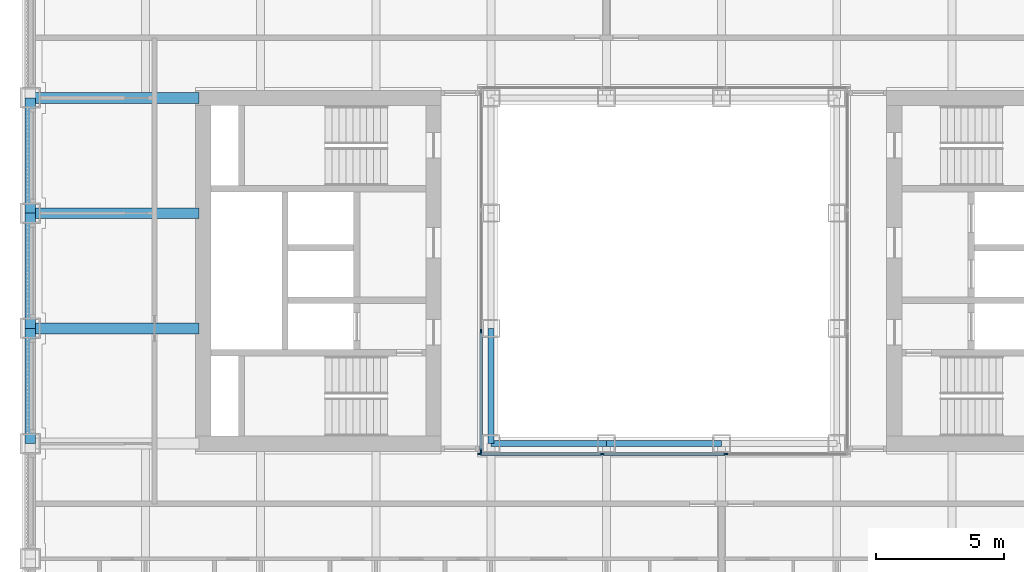
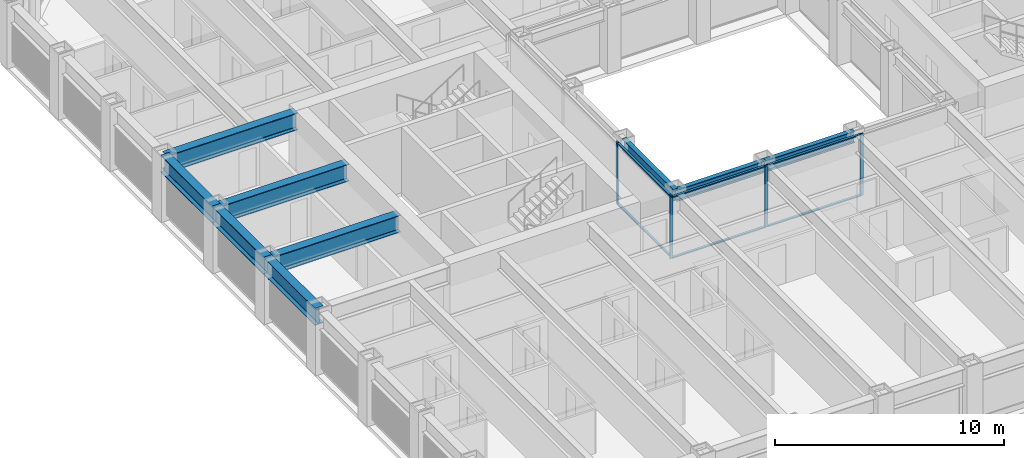
# One storey, part 3 of 21: 11 members, 9 beams, 2 elements without a shape of their own.
"""IFC4 building model written with IfcOpenShell, lengths in metres."""

from ifc_helpers import new_model, si_unit, direction, frame, origin, origin_2d, place, context, subcontext, project, spatial, rectangle, i_section, extrude, material, material_profile, profile_set, type_object, element, aggregate, save


model = new_model("IFC4")

# Units and contexts
model_context = context("Model", 3, precision=1e-05, world=origin(), true_north=direction((0.0, 1.0)))
body_context = subcontext(model_context, "Body", "Model", "MODEL_VIEW")
ifc_project = project(units=[si_unit("LENGTHUNIT", "METRE"), si_unit("AREAUNIT", "SQUARE_METRE"), si_unit("VOLUMEUNIT", "CUBIC_METRE"), si_unit("PLANEANGLEUNIT", "RADIAN"), si_unit("MASSUNIT", "GRAM", prefix="KILO")], contexts=[model_context])

# Site, building, storey
site_placement = place(None, origin())
site = spatial("IfcSite", under=ifc_project, at=site_placement, CompositionType="ELEMENT")
building_placement = place(site_placement, origin())
building = spatial("IfcBuilding", under=site, at=building_placement, Name="Msasa Ring Tower", CompositionType="ELEMENT")
storey_placement = place(building_placement, frame((0.0, 0.0, 79.0)))
storey = spatial("IfcBuildingStorey", under=building, at=storey_placement, Name="L20", CompositionType="ELEMENT", Elevation=79.0)

# Curtain wall, members
ifc_material_1 = material(Name="Aluminium curtain wall with clear glass", Category="aluminium")
curtain_wall_type = type_object("IfcCurtainWallType", Name="CW-W LIGHT WELL CURTAIN WALL", PredefinedType="NOTDEFINED", material=ifc_material_1)
curtain_wall_1_placement = place(storey_placement, origin())
curtain_wall_1 = element("IfcCurtainWall", 1, at=curtain_wall_1_placement, inside=storey, type_object=curtain_wall_type, Name="Light well curtain wall S L20", PredefinedType="NOTDEFINED")
ifc_material_2 = material(Name="Aluminium mullion", Category="aluminium")
ifc_material_profile_1 = material_profile(ifc_material_2, rectangle(XDim=0.06005859375, YDim=0.159912109375, at=origin_2d()), Name="AL 60x160")
ifc_profile_set_1 = profile_set([ifc_material_profile_1], Name="Aluminium mullion")
member_type_1 = type_object("IfcMemberType", Name="CW-W MULLION 60x160", PredefinedType="MULLION", material=ifc_profile_set_1)
member_1_placement = place(storey_placement, frame((-7.199951171875, -7.14990234375, 0.0), z_axis=(0.0, 0.0, 1.0), x_axis=(0.0, 1.0, 0.0)))
member_1 = element("IfcMember", 2, at=member_1_placement, type_object=member_type_1, Name="CW-W mullion 1", PredefinedType="MULLION", context=body_context, shape_type="SweptSolid", body=[
    extrude(rectangle(XDim=0.06005859375, YDim=0.159912109375, at=origin_2d()), origin(), (0.0, 0.0, 1.0), 3.300048828125),
])
member_2_placement = place(storey_placement, frame((-2.409912109375, -7.14990234375, 0.0), z_axis=(0.0, 0.0, 1.0), x_axis=(0.0, 1.0, 0.0)))
member_2 = element("IfcMember", 3, at=member_2_placement, type_object=member_type_1, Name="CW-W mullion 2", PredefinedType="MULLION", context=body_context, shape_type="SweptSolid", body=[
    extrude(rectangle(XDim=0.06005859375, YDim=0.159912109375, at=origin_2d()), origin(), (0.0, 0.0, 1.0), 3.300048828125),
])
member_3_placement = place(storey_placement, frame((2.409912109375, -7.14990234375, 0.0), z_axis=(0.0, 0.0, 1.0), x_axis=(0.0, 1.0, 0.0)))
member_3 = element("IfcMember", 4, at=member_3_placement, type_object=member_type_1, Name="CW-W mullion 3", PredefinedType="MULLION", context=body_context, shape_type="SweptSolid", body=[
    extrude(rectangle(XDim=0.06005859375, YDim=0.159912109375, at=origin_2d()), origin(), (0.0, 0.0, 1.0), 3.300048828125),
])

curtain_wall_2_placement = place(storey_placement, origin())
curtain_wall_2 = element("IfcCurtainWall", 5, at=curtain_wall_2_placement, inside=storey, type_object=curtain_wall_type, Name="Light well curtain wall W L20", PredefinedType="NOTDEFINED")
member_4_placement = place(storey_placement, frame((-7.14990234375, -7.0400390625, 0.0), z_axis=(0.0, 0.0, 1.0), x_axis=(-1.0, 0.0, 0.0)))
member_4 = element("IfcMember", 6, at=member_4_placement, type_object=member_type_1, Name="CW-W mullion 1", PredefinedType="MULLION", context=body_context, shape_type="SweptSolid", body=[
    extrude(rectangle(XDim=0.06005859375, YDim=0.159912109375, at=origin_2d()), origin(), (0.0, 0.0, 1.0), 3.300048828125),
])
member_5_placement = place(storey_placement, frame((-7.14990234375, -2.356689453125, 0.0), z_axis=(0.0, 0.0, 1.0), x_axis=(-1.0, 0.0, 0.0)))
member_5 = element("IfcMember", 7, at=member_5_placement, type_object=member_type_1, Name="CW-W mullion 2", PredefinedType="MULLION", context=body_context, shape_type="SweptSolid", body=[
    extrude(rectangle(XDim=0.06005859375, YDim=0.159912109375, at=origin_2d()), origin(), (0.0, 0.0, 1.0), 3.300048828125),
])

# Member
ifc_material_3 = material(Name="Aluminium transom", Category="aluminium")
ifc_material_profile_2 = material_profile(ifc_material_3, rectangle(XDim=0.1201171875, YDim=0.06005859375, at=origin_2d()), Name="AL 60x120")
ifc_profile_set_2 = profile_set([ifc_material_profile_2], Name="Aluminium transom")
member_type_2 = type_object("IfcMemberType", Name="CW-W TRANSOM 60x120", PredefinedType="USERDEFINED", material=ifc_profile_set_2)
member_6_placement = place(storey_placement, frame((-7.169921875, -7.14990234375, 0.030029296875), z_axis=(1.0, 0.0, 0.0), x_axis=(0.0, 1.0, 0.0)))
member_6 = element("IfcMember", 8, at=member_6_placement, type_object=member_type_2, Name="CW-W transom 1.1", ObjectType="TRANSOM", PredefinedType="USERDEFINED", context=body_context, shape_type="SweptSolid", body=[
    extrude(rectangle(XDim=0.1201171875, YDim=0.06005859375, at=origin_2d()), origin(), (0.0, 0.0, 1.0), 4.72998046875),
])

member_7_placement = place(storey_placement, frame((-7.169921875, -7.14990234375, 3.27001953125), z_axis=(1.0, 0.0, 0.0), x_axis=(0.0, 1.0, 0.0)))
member_7 = element("IfcMember", 9, at=member_7_placement, type_object=member_type_2, Name="CW-W transom 1.2", ObjectType="TRANSOM", PredefinedType="USERDEFINED", context=body_context, shape_type="SweptSolid", body=[
    extrude(rectangle(XDim=0.1201171875, YDim=0.06005859375, at=origin_2d()), origin(), (0.0, 0.0, 1.0), 4.72998046875),
])

member_8_placement = place(storey_placement, frame((-2.3798828125, -7.14990234375, 0.030029296875), z_axis=(1.0, 0.0, 0.0), x_axis=(0.0, 1.0, 0.0)))
member_8 = element("IfcMember", 10, at=member_8_placement, type_object=member_type_2, Name="CW-W transom 2.1", ObjectType="TRANSOM", PredefinedType="USERDEFINED", context=body_context, shape_type="SweptSolid", body=[
    extrude(rectangle(XDim=0.1201171875, YDim=0.06005859375, at=origin_2d()), origin(), (0.0, 0.0, 1.0), 4.759765625),
])

member_9_placement = place(storey_placement, frame((-2.3798828125, -7.14990234375, 3.27001953125), z_axis=(1.0, 0.0, 0.0), x_axis=(0.0, 1.0, 0.0)))
member_9 = element("IfcMember", 11, at=member_9_placement, type_object=member_type_2, Name="CW-W transom 2.2", ObjectType="TRANSOM", PredefinedType="USERDEFINED", context=body_context, shape_type="SweptSolid", body=[
    extrude(rectangle(XDim=0.1201171875, YDim=0.06005859375, at=origin_2d()), origin(), (0.0, 0.0, 1.0), 4.759765625),
])

aggregate(curtain_wall_1, [member_1, member_2, member_3, member_6, member_7, member_8, member_9])

member_10_placement = place(storey_placement, frame((-7.14990234375, -7.010009765625, 0.030029296875), z_axis=(0.0, 1.0, 0.0), x_axis=(-1.0, 0.0, 0.0)))
member_10 = element("IfcMember", 12, at=member_10_placement, type_object=member_type_2, Name="CW-W transom 1.1", ObjectType="TRANSOM", PredefinedType="USERDEFINED", context=body_context, shape_type="SweptSolid", body=[
    extrude(rectangle(XDim=0.1201171875, YDim=0.06005859375, at=origin_2d()), origin(), (0.0, 0.0, 1.0), 4.623291015625),
])

member_11_placement = place(storey_placement, frame((-7.14990234375, -7.010009765625, 3.27001953125), z_axis=(0.0, 1.0, 0.0), x_axis=(-1.0, 0.0, 0.0)))
member_11 = element("IfcMember", 13, at=member_11_placement, type_object=member_type_2, Name="CW-W transom 1.2", ObjectType="TRANSOM", PredefinedType="USERDEFINED", context=body_context, shape_type="SweptSolid", body=[
    extrude(rectangle(XDim=0.1201171875, YDim=0.06005859375, at=origin_2d()), origin(), (0.0, 0.0, 1.0), 4.623291015625),
])

aggregate(curtain_wall_2, [member_4, member_5, member_10, member_11])

# Beams
ifc_material_4 = material(Name="Steel S355", Category="steel")
ifc_material_profile_3 = material_profile(ifc_material_4, i_section(OverallWidth=0.42041015625, OverallDepth=0.9208984375, WebThickness=0.021484375, FlangeThickness=0.03662109375, FilletRadius=0.024169921875, at=origin_2d()), Name="UB 914x419x388")
ifc_profile_set_3 = profile_set([ifc_material_profile_3], Name="Steel S355")
beam_type_1 = type_object("IfcBeamType", Name="FB2 UB 914x419x388", PredefinedType="BEAM", material=ifc_profile_set_3)
for number, where, z_axis, x_axis, name in (
    (14, (-24.75, -2.25, 2.839599609375), (1.0, 0.0, 0.0), (0.0, 1.0, 0.0), "Floor beam W -2.25 under L21"),
    (15, (-24.75, 2.25, 2.839599609375), (1.0, 0.0, 0.0), (0.0, 1.0, 0.0), "Floor beam W +2.25 under L21"),
):
    element("IfcBeam", number, at=place(storey_placement, frame(where, z_axis=z_axis, x_axis=x_axis)), inside=storey, type_object=beam_type_1, Name=name, PredefinedType="BEAM", context=body_context, shape_type="SweptSolid", body=[
        extrude(i_section(OverallWidth=0.42041015625, OverallDepth=0.9208984375, WebThickness=0.021484375, FlangeThickness=0.03662109375, FilletRadius=0.024169921875, at=origin_2d()), origin(), (0.0, 0.0, 1.0), 6.60009765625),
    ])
ifc_material_5 = material(Name="Steel S355", Category="steel")
ifc_material_profile_4 = material_profile(ifc_material_5, i_section(OverallWidth=0.42041015625, OverallDepth=0.9208984375, WebThickness=0.021484375, FlangeThickness=0.03662109375, FilletRadius=0.024169921875, at=origin_2d()), Name="UB 914x419x388")
ifc_profile_set_4 = profile_set([ifc_material_profile_4], Name="Steel S355")
beam_type_2 = type_object("IfcBeamType", Name="GB1 UB 914x419x388", PredefinedType="BEAM", material=ifc_profile_set_4)
beam_placement = place(storey_placement, frame((-18.14990234375, 6.75, 2.839599609375), z_axis=(-1.0, 0.0, 0.0), x_axis=(0.0, -1.0, 0.0)))
element("IfcBeam", 16, at=beam_placement, inside=storey, type_object=beam_type_2, Name="Girder W +6.75 under L21", PredefinedType="BEAM", context=body_context, shape_type="SweptSolid", body=[
    extrude(i_section(OverallWidth=0.42041015625, OverallDepth=0.9208984375, WebThickness=0.021484375, FlangeThickness=0.03662109375, FilletRadius=0.024169921875, at=origin_2d()), origin(), (0.0, 0.0, 1.0), 6.60009765625),
])
ifc_material_6 = material(Name="Steel S355", Category="steel")
ifc_material_profile_5 = material_profile(ifc_material_6, i_section(OverallWidth=0.230224609375, OverallDepth=0.6171875, WebThickness=0.01318359375, FlangeThickness=0.022216796875, FilletRadius=0.0126953125, at=origin_2d()), Name="UB 610x229x140")
ifc_profile_set_5 = profile_set([ifc_material_profile_5], Name="Steel S355")
beam_type_3 = type_object("IfcBeamType", Name="RB1 UB 610x229x140", PredefinedType="BEAM", material=ifc_profile_set_5)
for number, where, z_axis, x_axis, name in (
    (17, (-6.75, -2.25, 2.991455078125), (0.0, -1.0, 0.0), (1.0, 0.0, 0.0), "Inner ring beam IR-6.75-2.25 under L21"),
    (18, (-6.75, -6.75, 2.991455078125), (1.0, 0.0, 0.0), (0.0, 1.0, 0.0), "Inner ring beam IR-6.75-6.75 under L21"),
    (19, (-2.25, -6.75, 2.991455078125), (1.0, 0.0, 0.0), (0.0, 1.0, 0.0), "Inner ring beam IR-2.25-6.75 under L21"),
):
    element("IfcBeam", number, at=place(storey_placement, frame(where, z_axis=z_axis, x_axis=x_axis)), inside=storey, type_object=beam_type_3, Name=name, PredefinedType="BEAM", context=body_context, shape_type="SweptSolid", body=[
        extrude(i_section(OverallWidth=0.230224609375, OverallDepth=0.6171875, WebThickness=0.01318359375, FlangeThickness=0.022216796875, FilletRadius=0.0126953125, at=origin_2d()), origin(), (0.0, 0.0, 1.0), 4.5),
    ])
ifc_material_7 = material(Name="Steel S355", Category="steel")
ifc_material_profile_6 = material_profile(ifc_material_7, i_section(OverallWidth=0.42041015625, OverallDepth=0.9208984375, WebThickness=0.021484375, FlangeThickness=0.03662109375, FilletRadius=0.024169921875, at=origin_2d()), Name="UB 914x419x388")
ifc_profile_set_6 = profile_set([ifc_material_profile_6], Name="Steel S355")
beam_type_4 = type_object("IfcBeamType", Name="SB1 UB 914x419x388", PredefinedType="SPANDREL", material=ifc_profile_set_6)
for number, where, z_axis, x_axis, name in (
    (20, (-24.75, -2.25, 2.839599609375), (0.0, -1.0, 0.0), (1.0, 0.0, 0.0), "Spandrel W-2.25 to W-6.75 under L21"),
    (21, (-24.75, 6.75, 2.839599609375), (0.0, -1.0, 0.0), (1.0, 0.0, 0.0), "Spandrel W+6.75 to W+2.25 under L21"),
    (22, (-24.75, 2.25, 2.839599609375), (0.0, -1.0, 0.0), (1.0, 0.0, 0.0), "Spandrel W+2.25 to W-2.25 under L21"),
):
    element("IfcBeam", number, at=place(storey_placement, frame(where, z_axis=z_axis, x_axis=x_axis)), inside=storey, type_object=beam_type_4, Name=name, PredefinedType="SPANDREL", context=body_context, shape_type="SweptSolid", body=[
        extrude(i_section(OverallWidth=0.42041015625, OverallDepth=0.9208984375, WebThickness=0.021484375, FlangeThickness=0.03662109375, FilletRadius=0.024169921875, at=origin_2d()), origin(), (0.0, 0.0, 1.0), 4.5),
    ])

save(model, "model.ifc")
